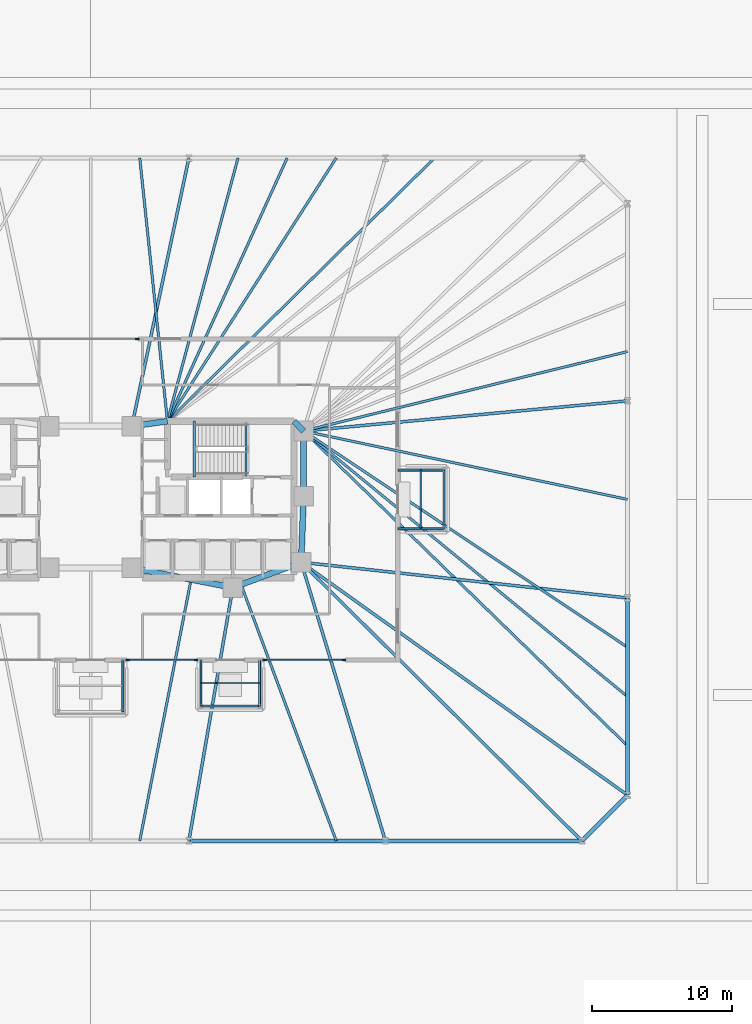
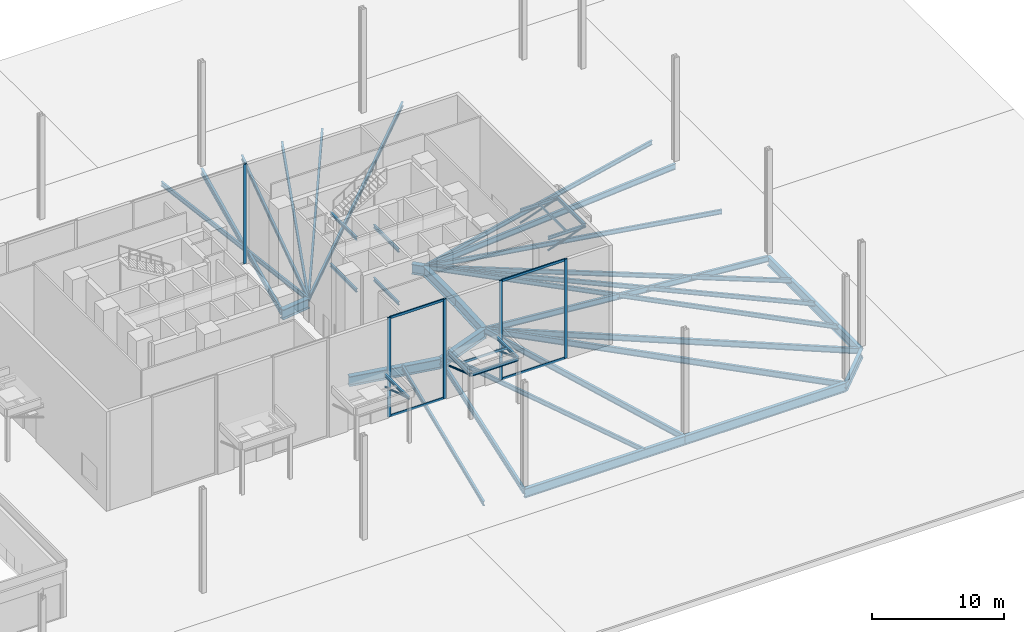
# One storey, part 10 of 24: 40 beams, 16 members, 3 elements without a shape of their own.
"""IFC4 building model written with IfcOpenShell, lengths in metres."""

import ifcopenshell
import ifcopenshell.guid

model = None  # the IFC model being written
_history = None  # IfcOwnerHistory: only IFC2X3 demands one
_inside = {}  # id of a spatial element -> (the spatial element, [elements in it])
_under = {}  # id of a project, library or spatial element -> (it, [spatial elements below it])
_declared = {}  # id of a project -> (the project, [libraries it declares])
_typed = {}  # id of a type object -> (the type object, [elements of that type])
_made_of = {}  # id of a material, layer set ... -> (it, [elements and type objects made of it])


def new_model(schema):
    """Start an empty IFC model of exactly this schema.

    Asked for "IFC4X3", IfcOpenShell would pick the latest addendum, in which some entities
    have other attributes; the version numbers below select the first issue.
    IFC2X3 requires an IfcOwnerHistory on every rooted entity: one is made here for all.
    """
    global model, _history
    if schema == "IFC4X3":
        model = ifcopenshell.file(schema_version=(4, 3, 0, 0))
    else:
        model = ifcopenshell.file(schema=schema)
    _inside.clear()
    _under.clear()
    _declared.clear()
    _typed.clear()
    _made_of.clear()
    _history = None
    if model.schema == "IFC2X3":
        org = make("IfcOrganization", Name="unknown")
        user = make(
            "IfcPersonAndOrganization",
            ThePerson=make("IfcPerson", FamilyName="unknown"),
            TheOrganization=org,
        )
        app = make(
            "IfcApplication",
            ApplicationDeveloper=org,
            Version="unknown",
            ApplicationFullName="unknown",
            ApplicationIdentifier="unknown",
        )
        _history = make(
            "IfcOwnerHistory",
            OwningUser=user,
            OwningApplication=app,
            ChangeAction="ADDED",
            CreationDate=0,
        )
    return model


def make(cls, **values):
    """One entity of the class cls with the attributes given. An attribute that is None is left unset."""
    return model.create_entity(
        cls, **{name: value for name, value in values.items() if value is not None}
    )


def rooted(cls, **values):
    """An entity with a GlobalId (a new one), such as an element, a storey or a relation."""
    return make(cls, GlobalId=ifcopenshell.guid.new(), OwnerHistory=_history, **values)


def si_unit(unit_type, name, prefix=None):
    """IfcSIUnit, for example si_unit("LENGTHUNIT", "METRE", prefix="MILLI")."""
    return make("IfcSIUnit", UnitType=unit_type, Prefix=prefix, Name=name)


def assignment(units):
    """IfcUnitAssignment: the units of a project."""
    return None if units is None else make("IfcUnitAssignment", Units=units)


def point(xyz):
    """IfcCartesianPoint."""
    return None if xyz is None else make("IfcCartesianPoint", Coordinates=xyz)


def direction(xyz):
    """IfcDirection."""
    return None if xyz is None else make("IfcDirection", DirectionRatios=xyz)


def frame(location, z_axis=None, x_axis=None):
    """IfcAxis2Placement3D, a coordinate frame: its origin and axes. An axis left out is left unset."""
    return make(
        "IfcAxis2Placement3D",
        Location=point(location),
        Axis=direction(z_axis),
        RefDirection=direction(x_axis),
    )


def frame_2d(location, x_axis=None):
    """IfcAxis2Placement2D, a coordinate frame in the plane: its origin and x axis."""
    return make(
        "IfcAxis2Placement2D", Location=point(location), RefDirection=direction(x_axis)
    )


def origin():
    """The frame at (0, 0, 0) with its axes left unset."""
    return frame((0.0, 0.0, 0.0))


def origin_2d():
    """The frame at (0, 0) in the plane with its x axis left unset."""
    return frame_2d((0.0, 0.0))


def place(relative_to, where):
    """IfcLocalPlacement: puts the frame where relative to a parent placement (None: the world)."""
    return make(
        "IfcLocalPlacement", PlacementRelTo=relative_to, RelativePlacement=where
    )


def context(
    kind, dimensions, precision=None, world=None, true_north=None, identifier=None
):
    """IfcGeometricRepresentationContext, for example the 3D "Model" context."""
    return make(
        "IfcGeometricRepresentationContext",
        ContextIdentifier=identifier,
        ContextType=kind,
        CoordinateSpaceDimension=dimensions,
        Precision=precision,
        WorldCoordinateSystem=world,
        TrueNorth=true_north,
    )


def subcontext(parent, identifier, kind, view, scale=None):
    """IfcGeometricRepresentationSubContext, for example "Body" below "Model"."""
    return make(
        "IfcGeometricRepresentationSubContext",
        ContextIdentifier=identifier,
        ContextType=kind,
        ParentContext=parent,
        TargetScale=scale,
        TargetView=view,
    )


def project(units=None, contexts=None):
    """IfcProject with its units and contexts."""
    return rooted(
        "IfcProject",
        Name="project",
        RepresentationContexts=contexts,
        UnitsInContext=assignment(units),
    )


def spatial(cls, under=None, at=None, **own):
    """A site, building, storey or space (cls), placed at a placement, below another one or the project."""
    s = rooted(cls, ObjectPlacement=at, **own)
    if under is not None:
        _under.setdefault(under.id(), (under, []))[1].append(s)
    return s


def profile(cls, at=None, kind="AREA", **sizes):
    """A parametric profile (cls). Its sizes go by their IFC names, for example OverallWidth=200.0."""
    return make(cls, ProfileType=kind, Position=at, **sizes)


def rectangle(**sizes):
    """IfcRectangleProfileDef."""
    return profile("IfcRectangleProfileDef", **sizes)


def hollow_rectangle(**sizes):
    """IfcRectangleHollowProfileDef."""
    return profile("IfcRectangleHollowProfileDef", **sizes)


def hollow_circle(**sizes):
    """IfcCircleHollowProfileDef."""
    return profile("IfcCircleHollowProfileDef", **sizes)


def i_section(**sizes):
    """IfcIShapeProfileDef."""
    return profile("IfcIShapeProfileDef", **sizes)


def extrude(swept, where, along, depth):
    """IfcExtrudedAreaSolid: the profile swept, set in the frame where, extruded along a direction by depth."""
    return make(
        "IfcExtrudedAreaSolid",
        SweptArea=swept,
        Position=where,
        ExtrudedDirection=direction(along),
        Depth=depth,
    )


def shape(context_of_items, identifier, shape_type, items):
    """IfcShapeRepresentation: the items that make up one representation, for example the "Body"."""
    return make(
        "IfcShapeRepresentation",
        ContextOfItems=context_of_items,
        RepresentationIdentifier=identifier,
        RepresentationType=shape_type,
        Items=items,
    )


def material(Name=None, Category=None):
    """IfcMaterial."""
    return make("IfcMaterial", Name=Name, Category=Category)


def material_profile(
    of_material, cross_section, Name=None, Category=None, Priority=None
):
    """IfcMaterialProfile: a cross section and its material."""
    return make(
        "IfcMaterialProfile",
        Name=Name,
        Material=of_material,
        Profile=cross_section,
        Priority=Priority,
        Category=Category,
    )


def profile_set(profiles, Name=None, composite=None):
    """IfcMaterialProfileSet."""
    return make(
        "IfcMaterialProfileSet",
        Name=Name,
        MaterialProfiles=profiles,
        CompositeProfile=composite,
    )


def made_of(thing, what):
    """Note that an element or type object is made of a material, layer set ...; save() writes the relation."""
    if what is not None:
        _made_of.setdefault(what.id(), (what, []))[1].append(thing)
    return thing


def type_object(cls, material=None, **own):
    """A type object (cls), such as IfcWallType, which elements share."""
    return made_of(rooted(cls, **own), material)


def element(
    cls,
    number,
    at=None,
    inside=None,
    cuts=None,
    type_object=None,
    material=None,
    context=None,
    identifier="Body",
    shape_type=None,
    held_by="IfcProductDefinitionShape",
    body=None,
    shapes=None,
    **own,
):
    """One element of the class cls, such as IfcWall. Its Tag is "e" and its number.

    at: its placement. inside: the storey or other place that contains it. cuts: it is an
    opening in that element (IfcRelVoidsElement). A single representation is given by context,
    identifier, shape_type and body (its items); several are given by shapes. held_by: the class
    of the entity that holds the representations. save() writes the other relations.
    """
    e = rooted(cls, Tag="e%d" % number, ObjectPlacement=at, **own)
    if body is not None:
        shapes = [shape(context, identifier, shape_type, body)]
    if shapes is not None:
        e.Representation = make(held_by, Representations=shapes)
    if inside is not None:
        _inside.setdefault(inside.id(), (inside, []))[1].append(e)
    if cuts is not None:
        rooted(
            "IfcRelVoidsElement", RelatingBuildingElement=cuts, RelatedOpeningElement=e
        )
    if type_object is not None:
        _typed.setdefault(type_object.id(), (type_object, []))[1].append(e)
    return made_of(e, material)


def aggregate(whole, parts):
    """IfcRelAggregates: a whole, such as a stair, and the parts it consists of."""
    return rooted("IfcRelAggregates", RelatingObject=whole, RelatedObjects=parts)


def save(model, path):
    """Write the relations noted so far, then the file.

    IfcRelAggregates (storeys below a building ...), IfcRelContainedInSpatialStructure (elements
    in a storey), IfcRelDefinesByType, IfcRelAssociatesMaterial and IfcRelDeclares: one each for
    every whole, place, type object, material and project.
    """
    for whole, parts in _under.values():
        aggregate(whole, parts)
    for where, things in _inside.values():
        rooted(
            "IfcRelContainedInSpatialStructure",
            RelatedElements=things,
            RelatingStructure=where,
        )
    for kind, things in _typed.values():
        rooted("IfcRelDefinesByType", RelatedObjects=things, RelatingType=kind)
    for what, things in _made_of.values():
        rooted("IfcRelAssociatesMaterial", RelatedObjects=things, RelatingMaterial=what)
    for by, libraries in _declared.values():
        rooted("IfcRelDeclares", RelatingContext=by, RelatedDefinitions=libraries)
    model.write(path)


model = new_model("IFC4")

# Units and contexts
model_context = context("Model", 3, precision=1e-05, world=origin(), true_north=direction((0.0, 1.0)))
body_context = subcontext(model_context, "Body", "Model", "MODEL_VIEW")
ifc_project = project(units=[si_unit("LENGTHUNIT", "METRE"), si_unit("AREAUNIT", "SQUARE_METRE"), si_unit("VOLUMEUNIT", "CUBIC_METRE"), si_unit("PLANEANGLEUNIT", "RADIAN"), si_unit("MASSUNIT", "GRAM", prefix="KILO")], contexts=[model_context])

# Site, building, storey
site_placement = place(None, origin())
site = spatial("IfcSite", under=ifc_project, at=site_placement, CompositionType="ELEMENT")
building_placement = place(site_placement, origin())
building = spatial("IfcBuilding", under=site, at=building_placement, Name="Menara Jurai Vektor", CompositionType="ELEMENT")
storey_placement = place(building_placement, origin())
storey = spatial("IfcBuildingStorey", under=building, at=storey_placement, Name="L00", CompositionType="ELEMENT", Elevation=0.0)

# Curtain wall, members
ifc_material_1 = material(Name="Anodised Pale Aluminium & Low-E Double Glazing", Category="aluminium")
curtain_wall_type = type_object("IfcCurtainWallType", Name="CW-SKY", PredefinedType="NOTDEFINED", material=ifc_material_1)
curtain_wall_1_placement = place(storey_placement, origin())
curtain_wall_1 = element("IfcCurtainWall", 1, at=curtain_wall_1_placement, inside=storey, type_object=curtain_wall_type, Name="Unitised Curtain Wall L00 S3", PredefinedType="NOTDEFINED")
ifc_material_2 = material(Name="Anodised Pale Aluminium Mullion", Category="aluminium")
ifc_material_profile_1 = material_profile(ifc_material_2, rectangle(XDim=0.110107421875, YDim=0.280029296875, at=origin_2d()), Name="ALU MUL 110x280")
ifc_profile_set_1 = profile_set([ifc_material_profile_1], Name="Anodised Pale Aluminium Mullion")
member_type_1 = type_object("IfcMemberType", Name="CW-SKY-MUL", PredefinedType="MULLION", material=ifc_profile_set_1)
member_1_placement = place(storey_placement, frame((2.655029296875, -11.5, 0.0), z_axis=(0.0, 0.0, 1.0), x_axis=(0.0, 1.0, 0.0)))
member_1 = element("IfcMember", 2, at=member_1_placement, type_object=member_type_1, Name="CW-06 mullion 1", PredefinedType="MULLION", context=body_context, shape_type="SweptSolid", body=[
    extrude(rectangle(XDim=0.110107421875, YDim=0.280029296875, at=origin_2d()), origin(), (0.0, 0.0, 1.0), 9.195068359375),
])
member_2_placement = place(storey_placement, frame((7.544921875, -11.5, 0.0), z_axis=(0.0, 0.0, 1.0), x_axis=(0.0, 1.0, 0.0)))
member_2 = element("IfcMember", 3, at=member_2_placement, type_object=member_type_1, Name="CW-06 mullion 2", PredefinedType="MULLION", context=body_context, shape_type="SweptSolid", body=[
    extrude(rectangle(XDim=0.110107421875, YDim=0.280029296875, at=origin_2d()), origin(), (0.0, 0.0, 1.0), 9.195068359375),
])

curtain_wall_2_placement = place(storey_placement, origin())
curtain_wall_2 = element("IfcCurtainWall", 4, at=curtain_wall_2_placement, inside=storey, type_object=curtain_wall_type, Name="Unitised Curtain Wall L00 S4", PredefinedType="NOTDEFINED")
member_3_placement = place(storey_placement, frame((12.455078125, -11.5, 0.0), z_axis=(0.0, 0.0, 1.0), x_axis=(0.0, 1.0, 0.0)))
member_3 = element("IfcMember", 5, at=member_3_placement, type_object=member_type_1, Name="CW-06 mullion 1", PredefinedType="MULLION", context=body_context, shape_type="SweptSolid", body=[
    extrude(rectangle(XDim=0.110107421875, YDim=0.280029296875, at=origin_2d()), origin(), (0.0, 0.0, 1.0), 9.195068359375),
])
member_4_placement = place(storey_placement, frame((18.14501953125, -11.5, 0.0), z_axis=(0.0, 0.0, 1.0), x_axis=(0.0, 1.0, 0.0)))
member_4 = element("IfcMember", 6, at=member_4_placement, type_object=member_type_1, Name="CW-06 mullion 2", PredefinedType="MULLION", context=body_context, shape_type="SweptSolid", body=[
    extrude(rectangle(XDim=0.110107421875, YDim=0.280029296875, at=origin_2d()), origin(), (0.0, 0.0, 1.0), 9.195068359375),
])

# Curtain wall, member
curtain_wall_3_placement = place(storey_placement, origin())
curtain_wall_3 = element("IfcCurtainWall", 7, at=curtain_wall_3_placement, inside=storey, type_object=curtain_wall_type, Name="Unitised Curtain Wall L00 N2", PredefinedType="NOTDEFINED")
member_5_placement = place(storey_placement, frame((3.344970703125, 11.5, 0.0), z_axis=(0.0, 0.0, 1.0), x_axis=(0.0, 1.0, 0.0)))
member_5 = element("IfcMember", 8, at=member_5_placement, type_object=member_type_1, Name="CW-06 mullion 2", PredefinedType="MULLION", context=body_context, shape_type="SweptSolid", body=[
    extrude(rectangle(XDim=0.110107421875, YDim=0.280029296875, at=origin_2d()), origin(), (0.0, 0.0, 1.0), 9.195068359375),
])
aggregate(curtain_wall_3, [member_5])

# Member
ifc_material_3 = material(Name="Anodised Pale Aluminium Transom", Category="aluminium")
ifc_material_profile_2 = material_profile(ifc_material_3, rectangle(XDim=0.110107421875, YDim=0.219970703125, at=origin_2d()), Name="ALU TRN 110x220")
ifc_profile_set_2 = profile_set([ifc_material_profile_2], Name="Anodised Pale Aluminium Transom")
member_type_2 = type_object("IfcMemberType", Name="CW-SKY-TRN", PredefinedType="USERDEFINED", material=ifc_profile_set_2)
member_6_placement = place(storey_placement, frame((2.7099609375, -11.5, 0.054931640625), z_axis=(1.0, 0.0, 0.0), x_axis=(0.0, 1.0, 0.0)))
member_6 = element("IfcMember", 9, at=member_6_placement, type_object=member_type_2, Name="CW-06 transom 1.1", ObjectType="TRANSOM", PredefinedType="USERDEFINED", context=body_context, shape_type="SweptSolid", body=[
    extrude(rectangle(XDim=0.110107421875, YDim=0.219970703125, at=origin_2d()), origin(), (0.0, 0.0, 1.0), 4.780029296875),
])

member_7_placement = place(storey_placement, frame((2.7099609375, -11.5, 9.139892578125), z_axis=(1.0, 0.0, 0.0), x_axis=(0.0, 1.0, 0.0)))
member_7 = element("IfcMember", 10, at=member_7_placement, type_object=member_type_2, Name="CW-06 transom 1.2", ObjectType="TRANSOM", PredefinedType="USERDEFINED", context=body_context, shape_type="SweptSolid", body=[
    extrude(rectangle(XDim=0.110107421875, YDim=0.219970703125, at=origin_2d()), origin(), (0.0, 0.0, 1.0), 4.780029296875),
])

aggregate(curtain_wall_1, [member_1, member_2, member_6, member_7])

member_8_placement = place(storey_placement, frame((12.510009765625, -11.5, 0.054931640625), z_axis=(1.0, 0.0, 0.0), x_axis=(0.0, 1.0, 0.0)))
member_8 = element("IfcMember", 11, at=member_8_placement, type_object=member_type_2, Name="CW-06 transom 1.1", ObjectType="TRANSOM", PredefinedType="USERDEFINED", context=body_context, shape_type="SweptSolid", body=[
    extrude(rectangle(XDim=0.110107421875, YDim=0.219970703125, at=origin_2d()), origin(), (0.0, 0.0, 1.0), 5.580078125),
])

member_9_placement = place(storey_placement, frame((12.510009765625, -11.5, 9.139892578125), z_axis=(1.0, 0.0, 0.0), x_axis=(0.0, 1.0, 0.0)))
member_9 = element("IfcMember", 12, at=member_9_placement, type_object=member_type_2, Name="CW-06 transom 1.2", ObjectType="TRANSOM", PredefinedType="USERDEFINED", context=body_context, shape_type="SweptSolid", body=[
    extrude(rectangle(XDim=0.110107421875, YDim=0.219970703125, at=origin_2d()), origin(), (0.0, 0.0, 1.0), 5.580078125),
])

aggregate(curtain_wall_2, [member_3, member_4, member_8, member_9])

# Beams
ifc_material_4 = material(Name="Steel S355", Category="steel")
ifc_material_profile_3 = material_profile(ifc_material_4, i_section(OverallWidth=0.2109375, OverallDepth=0.5390625, WebThickness=0.011962890625, FlangeThickness=0.01904296875, FilletRadius=0.012939453125, at=origin_2d()), Name="UKB 533x210x109")
ifc_profile_set_3 = profile_set([ifc_material_profile_3], Name="Steel S355")
beam_type_1 = type_object("IfcBeamType", Name="STR-BM-533", PredefinedType="BEAM", material=ifc_profile_set_3)
beam_1_placement = place(storey_placement, frame((7.03564453125, -24.449951171875, -0.569580078125), z_axis=(0.170880325642, 0.985291791455, 0.0), x_axis=(-0.985291791455, 0.170880325642, 0.0)))
element("IfcBeam", 13, at=beam_1_placement, inside=storey, type_object=beam_type_1, Name="Podium Radial Girder L00-RG-S4", PredefinedType="BEAM", context=body_context, shape_type="SweptSolid", body=[
    extrude(i_section(OverallWidth=0.2109375, OverallDepth=0.5390625, WebThickness=0.011962890625, FlangeThickness=0.01904296875, FilletRadius=0.012939453125, at=origin_2d()), origin(), (0.0, 0.0, 1.0), 18.400634765625),
])
beam_2_placement = place(storey_placement, frame((21.106689453125, -24.449951171875, -0.569580078125), z_axis=(-0.289179812203, 0.957274796604, 0.0), x_axis=(-0.957274796604, -0.289179812203, 0.0)))
element("IfcBeam", 14, at=beam_2_placement, inside=storey, type_object=beam_type_1, Name="Podium Radial Girder L00-RG-S5", PredefinedType="BEAM", context=body_context, shape_type="SweptSolid", body=[
    extrude(i_section(OverallWidth=0.2109375, OverallDepth=0.5390625, WebThickness=0.011962890625, FlangeThickness=0.01904296875, FilletRadius=0.012939453125, at=origin_2d()), origin(), (0.0, 0.0, 1.0), 20.84033203125),
])
beam_3_placement = place(storey_placement, frame((35.177734375, -24.449951171875, -0.569580078125), z_axis=(-0.709709931659, 0.704494011972, 0.0), x_axis=(-0.704494011972, -0.709709931659, 0.0)))
element("IfcBeam", 15, at=beam_3_placement, inside=storey, type_object=beam_type_1, Name="Podium Radial Girder L00-RG-S6", PredefinedType="BEAM", context=body_context, shape_type="SweptSolid", body=[
    extrude(i_section(OverallWidth=0.2109375, OverallDepth=0.5390625, WebThickness=0.011962890625, FlangeThickness=0.01904296875, FilletRadius=0.012939453125, at=origin_2d()), origin(), (0.0, 0.0, 1.0), 28.318115234375),
])
beam_4_placement = place(storey_placement, frame((38.449951171875, -21.177734375, -0.569580078125), z_axis=(-0.813981033216, 0.580891450759, 0.0), x_axis=(-0.580891450759, -0.813981033216, 0.0)))
element("IfcBeam", 16, at=beam_4_placement, inside=storey, type_object=beam_type_1, Name="Podium Radial Girder L00-RG-E1", PredefinedType="BEAM", context=body_context, shape_type="SweptSolid", body=[
    extrude(i_section(OverallWidth=0.2109375, OverallDepth=0.5390625, WebThickness=0.011962890625, FlangeThickness=0.01904296875, FilletRadius=0.012939453125, at=origin_2d()), origin(), (0.0, 0.0, 1.0), 28.710693359375),
])
beam_5_placement = place(storey_placement, frame((38.449951171875, -7.059326171875, -0.569580078125), z_axis=(-0.994056757953, 0.108863042253, 0.0), x_axis=(-0.108863042253, -0.994056757953, 0.0)))
element("IfcBeam", 17, at=beam_5_placement, inside=storey, type_object=beam_type_1, Name="Podium Radial Girder L00-RG-E2", PredefinedType="BEAM", context=body_context, shape_type="SweptSolid", body=[
    extrude(i_section(OverallWidth=0.2109375, OverallDepth=0.5390625, WebThickness=0.011962890625, FlangeThickness=0.01904296875, FilletRadius=0.012939453125, at=origin_2d()), origin(), (0.0, 0.0, 1.0), 23.509521484375),
])
beam_6_placement = place(storey_placement, frame((38.449951171875, 7.059326171875, -0.569580078125), z_axis=(-0.995696113112, -0.092678208514, 0.0), x_axis=(0.092678208514, -0.995696113112, 0.0)))
element("IfcBeam", 18, at=beam_6_placement, inside=storey, type_object=beam_type_1, Name="Podium Radial Girder L00-RG-E3", PredefinedType="BEAM", context=body_context, shape_type="SweptSolid", body=[
    extrude(i_section(OverallWidth=0.2109375, OverallDepth=0.5390625, WebThickness=0.011962890625, FlangeThickness=0.01904296875, FilletRadius=0.012939453125, at=origin_2d()), origin(), (0.0, 0.0, 1.0), 23.30029296875),
])
beam_7_placement = place(storey_placement, frame((7.03564453125, 24.449951171875, -0.569580078125), z_axis=(-0.2081367579, -0.978099734184, 0.0), x_axis=(0.978099734184, -0.2081367579, 0.0)))
element("IfcBeam", 19, at=beam_7_placement, inside=storey, type_object=beam_type_1, Name="Podium Radial Girder L00-RG-N3", PredefinedType="BEAM", context=body_context, shape_type="SweptSolid", body=[
    extrude(i_section(OverallWidth=0.2109375, OverallDepth=0.5390625, WebThickness=0.011962890625, FlangeThickness=0.01904296875, FilletRadius=0.012939453125, at=origin_2d()), origin(), (0.0, 0.0, 1.0), 19.6298828125),
])
ifc_material_5 = material(Name="Steel S460", Category="steel")
ifc_material_profile_4 = material_profile(ifc_material_5, i_section(OverallWidth=0.4208984375, OverallDepth=0.9208984375, WebThickness=0.02099609375, FlangeThickness=0.037109375, FilletRadius=0.02392578125, at=origin_2d()), Name="UKB 914x419x388")
ifc_profile_set_4 = profile_set([ifc_material_profile_4], Name="Steel S460")
beam_type_2 = type_object("IfcBeamType", Name="STR-BM-TR914", PredefinedType="BEAM", material=ifc_profile_set_4)
beam_8_placement = place(storey_placement, frame((2.949951171875, 5.25, -0.760498046875), z_axis=(0.990706818608, 0.136014703483, 0.0), x_axis=(-0.136014703483, 0.990706818608, 0.0)))
element("IfcBeam", 20, at=beam_8_placement, inside=storey, type_object=beam_type_2, Name="Core Ring Header Girder L00-CHE-N1", PredefinedType="BEAM", context=body_context, shape_type="SweptSolid", body=[
    extrude(i_section(OverallWidth=0.4208984375, OverallDepth=0.9208984375, WebThickness=0.02099609375, FlangeThickness=0.037109375, FilletRadius=0.02392578125, at=origin_2d()), origin(), (0.0, 0.0, 1.0), 2.573974609375),
])
beam_9_placement = place(storey_placement, frame((14.56005859375, 5.60009765625, -0.760498046875), z_axis=(0.701871936926, -0.712303154672, 0.0), x_axis=(0.712303154672, 0.701871936926, 0.0)))
element("IfcBeam", 21, at=beam_9_placement, inside=storey, type_object=beam_type_2, Name="Core Ring Header Girder L00-CHE-N2", PredefinedType="BEAM", context=body_context, shape_type="SweptSolid", body=[
    extrude(i_section(OverallWidth=0.4208984375, OverallDepth=0.9208984375, WebThickness=0.02099609375, FlangeThickness=0.037109375, FilletRadius=0.02392578125, at=origin_2d()), origin(), (0.0, 0.0, 1.0), 0.98291015625),
])
beam_10_placement = place(storey_placement, frame((15.25, 0.219970703125, -0.760498046875), z_axis=(0.0, 1.0, 0.0), x_axis=(-1.0, 0.0, 0.0)))
element("IfcBeam", 22, at=beam_10_placement, inside=storey, type_object=beam_type_2, Name="Core Ring Header Girder L00-CHE-E1", PredefinedType="BEAM", context=body_context, shape_type="SweptSolid", body=[
    extrude(i_section(OverallWidth=0.4208984375, OverallDepth=0.9208984375, WebThickness=0.02099609375, FlangeThickness=0.037109375, FilletRadius=0.02392578125, at=origin_2d()), origin(), (0.0, 0.0, 1.0), 4.679931640625),
])
beam_11_placement = place(storey_placement, frame((15.080078125, -4.5, -0.760498046875), z_axis=(0.035977314146, 0.999352606874, 0.0), x_axis=(-0.999352606874, 0.035977314146, 0.0)))
element("IfcBeam", 23, at=beam_11_placement, inside=storey, type_object=beam_type_2, Name="Core Ring Header Girder L00-CHE-E2", PredefinedType="BEAM", context=body_context, shape_type="SweptSolid", body=[
    extrude(i_section(OverallWidth=0.4208984375, OverallDepth=0.9208984375, WebThickness=0.02099609375, FlangeThickness=0.037109375, FilletRadius=0.02392578125, at=origin_2d()), origin(), (0.0, 0.0, 1.0), 4.72314453125),
])
beam_12_placement = place(storey_placement, frame((10.179931640625, -6.320068359375, -0.760498046875), z_axis=(0.937424400887, 0.348188874925, 0.0), x_axis=(-0.348188874925, 0.937424400887, 0.0)))
element("IfcBeam", 24, at=beam_12_placement, inside=storey, type_object=beam_type_2, Name="Core Ring Header Girder L00-CHE-S1", PredefinedType="BEAM", context=body_context, shape_type="SweptSolid", body=[
    extrude(i_section(OverallWidth=0.4208984375, OverallDepth=0.9208984375, WebThickness=0.02099609375, FlangeThickness=0.037109375, FilletRadius=0.02392578125, at=origin_2d()), origin(), (0.0, 0.0, 1.0), 5.227294921875),
])
beam_13_placement = place(storey_placement, frame((2.949951171875, -4.89990234375, -0.760498046875), z_axis=(0.981249044334, -0.192744164614, 0.0), x_axis=(0.192744164614, 0.981249044334, 0.0)))
element("IfcBeam", 25, at=beam_13_placement, inside=storey, type_object=beam_type_2, Name="Core Ring Header Girder L00-CHE-S2", PredefinedType="BEAM", context=body_context, shape_type="SweptSolid", body=[
    extrude(i_section(OverallWidth=0.4208984375, OverallDepth=0.9208984375, WebThickness=0.02099609375, FlangeThickness=0.037109375, FilletRadius=0.02392578125, at=origin_2d()), origin(), (0.0, 0.0, 1.0), 7.3681640625),
])
ifc_material_profile_5 = material_profile(ifc_material_4, i_section(OverallWidth=0.178955078125, OverallDepth=0.408935546875, WebThickness=0.009033203125, FlangeThickness=0.013916015625, FilletRadius=0.010009765625, at=origin_2d()), Name="UKB 406x178x67")
ifc_profile_set_5 = profile_set([ifc_material_profile_5], Name="Steel S355")
beam_type_3 = type_object("IfcBeamType", Name="STR-JS-406", PredefinedType="JOIST", material=ifc_profile_set_5)
beam_14_placement = place(storey_placement, frame((3.517822265625, -24.449951171875, -0.50439453125), z_axis=(0.192723076671, 0.981253186348, 0.0), x_axis=(-0.981253186348, 0.192723076671, 0.0)))
element("IfcBeam", 26, at=beam_14_placement, inside=storey, type_object=beam_type_3, Name="Radial Secondary Floor Joist L00-JS06", PredefinedType="JOIST", context=body_context, shape_type="SweptSolid", body=[
    extrude(i_section(OverallWidth=0.178955078125, OverallDepth=0.408935546875, WebThickness=0.009033203125, FlangeThickness=0.013916015625, FilletRadius=0.010009765625, at=origin_2d()), origin(), (0.0, 0.0, 1.0), 19.07421875),
])
beam_15_placement = place(storey_placement, frame((17.5888671875, -24.449951171875, -0.50439453125), z_axis=(-0.348179014223, 0.937428063403, 0.0), x_axis=(-0.937428063403, -0.348179014223, 0.0)))
element("IfcBeam", 27, at=beam_15_placement, inside=storey, type_object=beam_type_3, Name="Radial Secondary Floor Joist L00-JS07", PredefinedType="JOIST", context=body_context, shape_type="SweptSolid", body=[
    extrude(i_section(OverallWidth=0.178955078125, OverallDepth=0.408935546875, WebThickness=0.009033203125, FlangeThickness=0.013916015625, FilletRadius=0.010009765625, at=origin_2d()), origin(), (0.0, 0.0, 1.0), 19.5751953125),
])
beam_16_placement = place(storey_placement, frame((38.449951171875, -17.648193359375, -0.50439453125), z_axis=(-0.71710942187, 0.696960599363, 0.0), x_axis=(-0.696960599363, -0.71710942187, 0.0)))
element("IfcBeam", 28, at=beam_16_placement, inside=storey, type_object=beam_type_3, Name="Radial Secondary Floor Joist L00-JS08", PredefinedType="JOIST", context=body_context, shape_type="SweptSolid", body=[
    extrude(i_section(OverallWidth=0.178955078125, OverallDepth=0.408935546875, WebThickness=0.009033203125, FlangeThickness=0.013916015625, FilletRadius=0.010009765625, at=origin_2d()), origin(), (0.0, 0.0, 1.0), 32.35205078125),
])
beam_17_placement = place(storey_placement, frame((38.449951171875, -14.118408203125, -0.50439453125), z_axis=(-0.773360118456, 0.633966976413, 0.0), x_axis=(-0.633966976413, -0.773360118456, 0.0)))
element("IfcBeam", 29, at=beam_17_placement, inside=storey, type_object=beam_type_3, Name="Radial Secondary Floor Joist L00-JS09", PredefinedType="JOIST", context=body_context, shape_type="SweptSolid", body=[
    extrude(i_section(OverallWidth=0.178955078125, OverallDepth=0.408935546875, WebThickness=0.009033203125, FlangeThickness=0.013916015625, FilletRadius=0.010009765625, at=origin_2d()), origin(), (0.0, 0.0, 1.0), 29.998779296875),
])
beam_18_placement = place(storey_placement, frame((38.449951171875, -10.5888671875, -0.50439453125), z_axis=(-0.831683872109, 0.555249436627, 0.0), x_axis=(-0.555249436627, -0.831683872109, 0.0)))
element("IfcBeam", 30, at=beam_18_placement, inside=storey, type_object=beam_type_3, Name="Radial Secondary Floor Joist L00-JS10", PredefinedType="JOIST", context=body_context, shape_type="SweptSolid", body=[
    extrude(i_section(OverallWidth=0.178955078125, OverallDepth=0.408935546875, WebThickness=0.009033203125, FlangeThickness=0.013916015625, FilletRadius=0.010009765625, at=origin_2d()), origin(), (0.0, 0.0, 1.0), 27.895263671875),
])
beam_19_placement = place(storey_placement, frame((38.449951171875, 0.0, -0.50439453125), z_axis=(-0.978416084102, 0.206644541109, 0.0), x_axis=(-0.206644541109, -0.978416084102, 0.0)))
element("IfcBeam", 31, at=beam_19_placement, inside=storey, type_object=beam_type_3, Name="Radial Secondary Floor Joist L00-JS11", PredefinedType="JOIST", context=body_context, shape_type="SweptSolid", body=[
    extrude(i_section(OverallWidth=0.178955078125, OverallDepth=0.408935546875, WebThickness=0.009033203125, FlangeThickness=0.013916015625, FilletRadius=0.010009765625, at=origin_2d()), origin(), (0.0, 0.0, 1.0), 23.711669921875),
])
beam_20_placement = place(storey_placement, frame((38.449951171875, 10.5888671875, -0.50439453125), z_axis=(-0.971226234641, -0.238158772976, 0.0), x_axis=(0.238158772976, -0.971226234641, 0.0)))
element("IfcBeam", 32, at=beam_20_placement, inside=storey, type_object=beam_type_3, Name="Radial Secondary Floor Joist L00-JS12", PredefinedType="JOIST", context=body_context, shape_type="SweptSolid", body=[
    extrude(i_section(OverallWidth=0.178955078125, OverallDepth=0.408935546875, WebThickness=0.009033203125, FlangeThickness=0.013916015625, FilletRadius=0.010009765625, at=origin_2d()), origin(), (0.0, 0.0, 1.0), 23.88720703125),
])
beam_21_placement = place(storey_placement, frame((24.62451171875, 24.449951171875, -0.50439453125), z_axis=(-0.712202462998, -0.70197411042, 0.0), x_axis=(0.70197411042, -0.712202462998, 0.0)))
element("IfcBeam", 33, at=beam_21_placement, inside=storey, type_object=beam_type_3, Name="Radial Secondary Floor Joist L00-JS18", PredefinedType="JOIST", context=body_context, shape_type="SweptSolid", body=[
    extrude(i_section(OverallWidth=0.178955078125, OverallDepth=0.408935546875, WebThickness=0.009033203125, FlangeThickness=0.013916015625, FilletRadius=0.010009765625, at=origin_2d()), origin(), (0.0, 0.0, 1.0), 26.8525390625),
])
beam_22_placement = place(storey_placement, frame((17.5888671875, 24.449951171875, -0.50439453125), z_axis=(-0.53984422461, -0.841764939372, 0.0), x_axis=(0.841764939372, -0.53984422461, 0.0)))
element("IfcBeam", 34, at=beam_22_placement, inside=storey, type_object=beam_type_3, Name="Radial Secondary Floor Joist L00-JS19", PredefinedType="JOIST", context=body_context, shape_type="SweptSolid", body=[
    extrude(i_section(OverallWidth=0.178955078125, OverallDepth=0.408935546875, WebThickness=0.009033203125, FlangeThickness=0.013916015625, FilletRadius=0.010009765625, at=origin_2d()), origin(), (0.0, 0.0, 1.0), 22.393310546875),
])
beam_23_placement = place(storey_placement, frame((14.071044921875, 24.449951171875, -0.50439453125), z_axis=(-0.413920197297, -0.910313171535, 0.0), x_axis=(0.910313171535, -0.413920197297, 0.0)))
element("IfcBeam", 35, at=beam_23_placement, inside=storey, type_object=beam_type_3, Name="Radial Secondary Floor Joist L00-JS20", PredefinedType="JOIST", context=body_context, shape_type="SweptSolid", body=[
    extrude(i_section(OverallWidth=0.178955078125, OverallDepth=0.408935546875, WebThickness=0.009033203125, FlangeThickness=0.013916015625, FilletRadius=0.010009765625, at=origin_2d()), origin(), (0.0, 0.0, 1.0), 20.70703125),
])
beam_24_placement = place(storey_placement, frame((10.55322265625, 24.449951171875, -0.50439453125), z_axis=(-0.258934723238, -0.965894823002, 0.0), x_axis=(0.965894823002, -0.258934723238, 0.0)))
element("IfcBeam", 36, at=beam_24_placement, inside=storey, type_object=beam_type_3, Name="Radial Secondary Floor Joist L00-JS21", PredefinedType="JOIST", context=body_context, shape_type="SweptSolid", body=[
    extrude(i_section(OverallWidth=0.178955078125, OverallDepth=0.408935546875, WebThickness=0.009033203125, FlangeThickness=0.013916015625, FilletRadius=0.010009765625, at=origin_2d()), origin(), (0.0, 0.0, 1.0), 19.515380859375),
])
beam_25_placement = place(storey_placement, frame((3.517822265625, 24.449951171875, -0.50439453125), z_axis=(0.104579513969, -0.994516528399, 0.0), x_axis=(0.994516528399, 0.104579513969, 0.0)))
element("IfcBeam", 37, at=beam_25_placement, inside=storey, type_object=beam_type_3, Name="Radial Secondary Floor Joist L00-JS22", PredefinedType="JOIST", context=body_context, shape_type="SweptSolid", body=[
    extrude(i_section(OverallWidth=0.178955078125, OverallDepth=0.408935546875, WebThickness=0.009033203125, FlangeThickness=0.013916015625, FilletRadius=0.010009765625, at=origin_2d()), origin(), (0.0, 0.0, 1.0), 18.953857421875),
])
ifc_material_profile_6 = material_profile(ifc_material_4, i_section(OverallWidth=0.1650390625, OverallDepth=0.302978515625, WebThickness=0.006103515625, FlangeThickness=0.010009765625, FilletRadius=0.009033203125, at=origin_2d()), Name="UKB 305x165x40")
ifc_profile_set_6 = profile_set([ifc_material_profile_6], Name="Steel S355")
beam_type_4 = type_object("IfcBeamType", Name="STR-LN-305", PredefinedType="LINTEL", material=ifc_profile_set_6)
beam_26_placement = place(storey_placement, frame((11.1201171875, 1.60009765625, -0.451416015625), z_axis=(0.0, 1.0, 0.0), x_axis=(-1.0, 0.0, 0.0)))
element("IfcBeam", 38, at=beam_26_placement, inside=storey, type_object=beam_type_4, Name="Stair Well Floor Trimmer ST2 L00", PredefinedType="LINTEL", context=body_context, shape_type="SweptSolid", body=[
    extrude(i_section(OverallWidth=0.1650390625, OverallDepth=0.302978515625, WebThickness=0.006103515625, FlangeThickness=0.010009765625, FilletRadius=0.009033203125, at=origin_2d()), origin(), (0.0, 0.0, 1.0), 3.81982421875),
])
beam_27_placement = place(storey_placement, frame((7.429931640625, 1.60009765625, 2.048583984375), z_axis=(0.0, 1.0, 0.0), x_axis=(-1.0, 0.0, 0.0)))
element("IfcBeam", 39, at=beam_27_placement, inside=storey, type_object=beam_type_4, Name="Stair Half-Landing Nosing Trimmer ST2-1 L00", PredefinedType="LINTEL", context=body_context, shape_type="SweptSolid", body=[
    extrude(i_section(OverallWidth=0.1650390625, OverallDepth=0.302978515625, WebThickness=0.006103515625, FlangeThickness=0.010009765625, FilletRadius=0.009033203125, at=origin_2d()), origin(), (0.0, 0.0, 1.0), 4.0),
])
beam_28_placement = place(storey_placement, frame((11.1201171875, 1.60009765625, 4.448486328125), z_axis=(0.0, 1.0, 0.0), x_axis=(-1.0, 0.0, 0.0)))
element("IfcBeam", 40, at=beam_28_placement, inside=storey, type_object=beam_type_4, Name="Stair Mid-Landing Trimmer ST2-MA L00", PredefinedType="LINTEL", context=body_context, shape_type="SweptSolid", body=[
    extrude(i_section(OverallWidth=0.1650390625, OverallDepth=0.302978515625, WebThickness=0.006103515625, FlangeThickness=0.010009765625, FilletRadius=0.009033203125, at=origin_2d()), origin(), (0.0, 0.0, 1.0), 3.81982421875),
])
beam_29_placement = place(storey_placement, frame((7.429931640625, 1.60009765625, 6.848388671875), z_axis=(0.0, 1.0, 0.0), x_axis=(-1.0, 0.0, 0.0)))
element("IfcBeam", 41, at=beam_29_placement, inside=storey, type_object=beam_type_4, Name="Stair Half-Landing Nosing Trimmer ST2-2 L00", PredefinedType="LINTEL", context=body_context, shape_type="SweptSolid", body=[
    extrude(i_section(OverallWidth=0.1650390625, OverallDepth=0.302978515625, WebThickness=0.006103515625, FlangeThickness=0.010009765625, FilletRadius=0.009033203125, at=origin_2d()), origin(), (0.0, 0.0, 1.0), 4.0),
])
beam_30_placement = place(storey_placement, frame((2.300048828125, -11.5, 4.048583984375), z_axis=(0.0, -1.0, 0.0), x_axis=(1.0, 0.0, 0.0)))
element("IfcBeam", 42, at=beam_30_placement, inside=storey, type_object=beam_type_4, Name="Canopy Cantilever Arm E2-2", PredefinedType="BEAM", context=body_context, shape_type="SweptSolid", body=[
    extrude(i_section(OverallWidth=0.1650390625, OverallDepth=0.302978515625, WebThickness=0.006103515625, FlangeThickness=0.010009765625, FilletRadius=0.009033203125, at=origin_2d()), origin(), (0.0, 0.0, 1.0), 3.699951171875),
])
beam_31_placement = place(storey_placement, frame((7.89990234375, -14.800048828125, 4.048583984375), z_axis=(1.0, 0.0, 0.0), x_axis=(0.0, 1.0, 0.0)))
element("IfcBeam", 43, at=beam_31_placement, inside=storey, type_object=beam_type_4, Name="Canopy Front Beam E3", PredefinedType="LINTEL", context=body_context, shape_type="SweptSolid", body=[
    extrude(i_section(OverallWidth=0.1650390625, OverallDepth=0.302978515625, WebThickness=0.006103515625, FlangeThickness=0.010009765625, FilletRadius=0.009033203125, at=origin_2d()), origin(), (0.0, 0.0, 1.0), 4.2001953125),
])
for number, where, z_axis, x_axis, name in (
    (44, (7.89990234375, -11.5, 4.048583984375), (0.0, -1.0, 0.0), (1.0, 0.0, 0.0), "Canopy Cantilever Arm E3-1"),
    (45, (12.10009765625, -11.5, 4.048583984375), (0.0, -1.0, 0.0), (1.0, 0.0, 0.0), "Canopy Cantilever Arm E3-2"),
):
    element("IfcBeam", number, at=place(storey_placement, frame(where, z_axis=z_axis, x_axis=x_axis)), inside=storey, type_object=beam_type_4, Name=name, PredefinedType="BEAM", context=body_context, shape_type="SweptSolid", body=[
        extrude(i_section(OverallWidth=0.1650390625, OverallDepth=0.302978515625, WebThickness=0.006103515625, FlangeThickness=0.010009765625, FilletRadius=0.009033203125, at=origin_2d()), origin(), (0.0, 0.0, 1.0), 3.300048828125),
    ])
beam_32_placement = place(storey_placement, frame((25.300048828125, -2.10009765625, 4.048583984375), z_axis=(0.0, 1.0, 0.0), x_axis=(-1.0, 0.0, 0.0)))
element("IfcBeam", 46, at=beam_32_placement, inside=storey, type_object=beam_type_4, Name="Canopy Front Beam E6", PredefinedType="LINTEL", context=body_context, shape_type="SweptSolid", body=[
    extrude(i_section(OverallWidth=0.1650390625, OverallDepth=0.302978515625, WebThickness=0.006103515625, FlangeThickness=0.010009765625, FilletRadius=0.009033203125, at=origin_2d()), origin(), (0.0, 0.0, 1.0), 4.2001953125),
])
for number, where, z_axis, x_axis, name in (
    (47, (22.0, -2.10009765625, 4.048583984375), (1.0, 0.0, 0.0), (0.0, 1.0, 0.0), "Canopy Cantilever Arm E6-1"),
    (48, (22.0, 2.10009765625, 4.048583984375), (1.0, 0.0, 0.0), (0.0, 1.0, 0.0), "Canopy Cantilever Arm E6-2"),
):
    element("IfcBeam", number, at=place(storey_placement, frame(where, z_axis=z_axis, x_axis=x_axis)), inside=storey, type_object=beam_type_4, Name=name, PredefinedType="BEAM", context=body_context, shape_type="SweptSolid", body=[
        extrude(i_section(OverallWidth=0.1650390625, OverallDepth=0.302978515625, WebThickness=0.006103515625, FlangeThickness=0.010009765625, FilletRadius=0.009033203125, at=origin_2d()), origin(), (0.0, 0.0, 1.0), 3.300048828125),
    ])

# Members
ifc_material_profile_7 = material_profile(ifc_material_4, hollow_rectangle(XDim=0.10009765625, YDim=0.199951171875, WallThickness=0.008056640625, at=origin_2d()), Name="RHS 200x100x8")
ifc_profile_set_7 = profile_set([ifc_material_profile_7], Name="Steel S355")
member_type_3 = type_object("IfcMemberType", Name="STR-PR-RHS200", PredefinedType="PURLIN", material=ifc_profile_set_7)
for number, where, z_axis, x_axis, name in (
    (49, (7.89990234375, -13.14990234375, 4.094970703125), (1.0, 0.0, 0.0), (0.0, 1.0, 0.0), "Entrance Canopy Purlin E3"),
    (50, (23.64990234375, -2.10009765625, 4.094970703125), (0.0, 1.0, 0.0), (-1.0, 0.0, 0.0), "Entrance Canopy Purlin E6"),
):
    element("IfcMember", number, at=place(storey_placement, frame(where, z_axis=z_axis, x_axis=x_axis)), inside=storey, type_object=member_type_3, Name=name, PredefinedType="PURLIN", context=body_context, shape_type="SweptSolid", body=[
        extrude(hollow_rectangle(XDim=0.10009765625, YDim=0.199951171875, WallThickness=0.008056640625, at=origin_2d()), origin(), (0.0, 0.0, 1.0), 4.2001953125),
    ])

# Beams
ifc_material_profile_8 = material_profile(ifc_material_5, i_section(OverallWidth=0.2939453125, OverallDepth=0.85107421875, WebThickness=0.01611328125, FlangeThickness=0.027099609375, FilletRadius=0.01806640625, at=origin_2d()), Name="UKB 838x292x226")
ifc_profile_set_8 = profile_set([ifc_material_profile_8], Name="Steel S460")
beam_type_5 = type_object("IfcBeamType", Name="STR-SP-838", PredefinedType="SPANDREL", material=ifc_profile_set_8)
for number, where, z_axis, x_axis, name in (
    (51, (7.03564453125, -24.449951171875, -0.7255859375), (1.0, 0.0, 0.0), (0.0, 1.0, 0.0), "Podium Perimeter Girder L00-SP04"),
    (52, (21.106689453125, -24.449951171875, -0.7255859375), (1.0, 0.0, 0.0), (0.0, 1.0, 0.0), "Podium Perimeter Girder L00-SP05"),
):
    element("IfcBeam", number, at=place(storey_placement, frame(where, z_axis=z_axis, x_axis=x_axis)), inside=storey, type_object=beam_type_5, Name=name, PredefinedType="SPANDREL", context=body_context, shape_type="SweptSolid", body=[
        extrude(i_section(OverallWidth=0.2939453125, OverallDepth=0.85107421875, WebThickness=0.01611328125, FlangeThickness=0.027099609375, FilletRadius=0.01806640625, at=origin_2d()), origin(), (0.0, 0.0, 1.0), 14.071044921875),
    ])
beam_33_placement = place(storey_placement, frame((35.177734375, -24.449951171875, -0.7255859375), z_axis=(0.707106781187, 0.707106781187, 0.0), x_axis=(-0.707106781187, 0.707106781187, 0.0)))
element("IfcBeam", 53, at=beam_33_placement, inside=storey, type_object=beam_type_5, Name="Podium Perimeter Girder L00-SP06", PredefinedType="SPANDREL", context=body_context, shape_type="SweptSolid", body=[
    extrude(i_section(OverallWidth=0.2939453125, OverallDepth=0.85107421875, WebThickness=0.01611328125, FlangeThickness=0.027099609375, FilletRadius=0.01806640625, at=origin_2d()), origin(), (0.0, 0.0, 1.0), 4.627685546875),
])
beam_34_placement = place(storey_placement, frame((38.449951171875, -21.177734375, -0.7255859375), z_axis=(0.0, 1.0, 0.0), x_axis=(-1.0, 0.0, 0.0)))
element("IfcBeam", 54, at=beam_34_placement, inside=storey, type_object=beam_type_5, Name="Podium Perimeter Girder L00-SP07", PredefinedType="SPANDREL", context=body_context, shape_type="SweptSolid", body=[
    extrude(i_section(OverallWidth=0.2939453125, OverallDepth=0.85107421875, WebThickness=0.01611328125, FlangeThickness=0.027099609375, FilletRadius=0.01806640625, at=origin_2d()), origin(), (0.0, 0.0, 1.0), 14.118408203125),
])

# Members
ifc_material_profile_9 = material_profile(ifc_material_4, hollow_circle(Radius=0.084228515625, WallThickness=0.008056640625, at=origin_2d()), Name="CHS 168.3x8")
ifc_profile_set_9 = profile_set([ifc_material_profile_9], Name="Steel S355")
member_type_4 = type_object("IfcMemberType", Name="STR-ST-168", PredefinedType="STRUT", material=ifc_profile_set_9)
member_10_placement = place(storey_placement, frame((2.300048828125, -11.5, 2.89990234375), z_axis=(0.0, -0.954926257654, 0.296843127668), x_axis=(1.0, 0.0, 0.0)))
element("IfcMember", 55, at=member_10_placement, inside=storey, type_object=member_type_4, Name="Entrance Canopy Strut E2-2", PredefinedType="STRUT", context=body_context, shape_type="SweptSolid", body=[
    extrude(hollow_circle(Radius=0.084228515625, WallThickness=0.008056640625, at=origin_2d()), origin(), (0.0, 0.0, 1.0), 3.87451171875),
])
for number, where, z_axis, x_axis, name in (
    (56, (7.89990234375, -11.5, 2.89990234375), (0.0, -0.94429210062, 0.329108536363), (1.0, 0.0, 0.0), "Entrance Canopy Strut E3-1"),
    (57, (12.10009765625, -11.5, 2.89990234375), (0.0, -0.94429210062, 0.329108536363), (1.0, 0.0, 0.0), "Entrance Canopy Strut E3-2"),
    (58, (22.0, -2.10009765625, 2.89990234375), (0.94429210062, 0.0, 0.329108536363), (0.0, 1.0, 0.0), "Entrance Canopy Strut E6-1"),
    (59, (22.0, 2.10009765625, 2.89990234375), (0.94429210062, 0.0, 0.329108536363), (0.0, 1.0, 0.0), "Entrance Canopy Strut E6-2"),
):
    element("IfcMember", number, at=place(storey_placement, frame(where, z_axis=z_axis, x_axis=x_axis)), inside=storey, type_object=member_type_4, Name=name, PredefinedType="STRUT", context=body_context, shape_type="SweptSolid", body=[
        extrude(hollow_circle(Radius=0.084228515625, WallThickness=0.008056640625, at=origin_2d()), origin(), (0.0, 0.0, 1.0), 3.49462890625),
    ])

save(model, "model.ifc")
